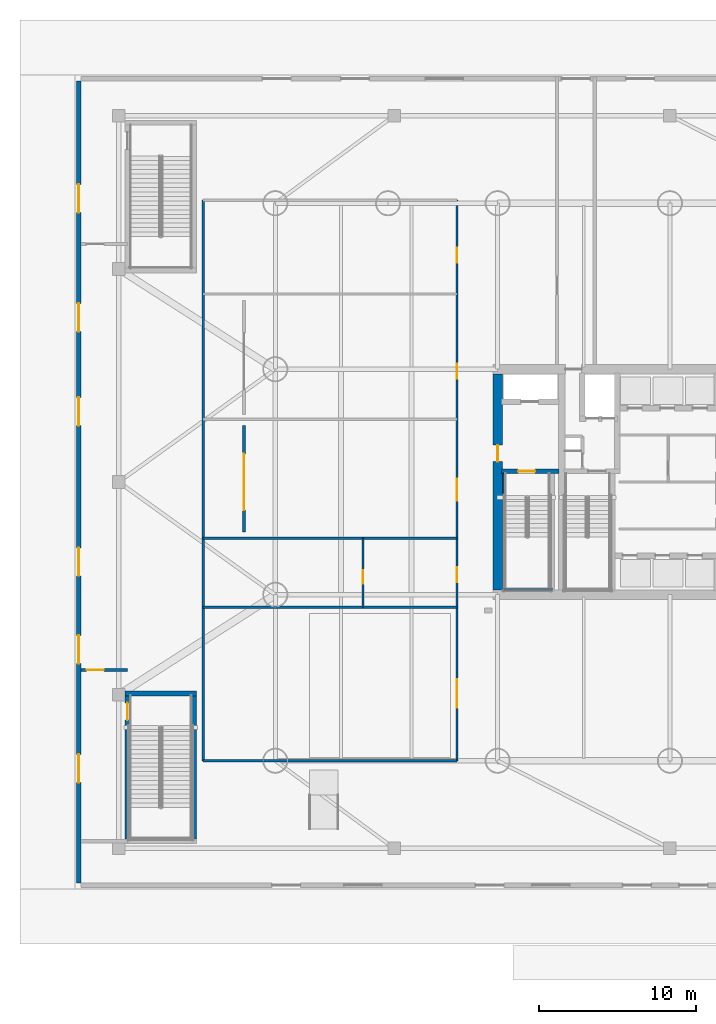
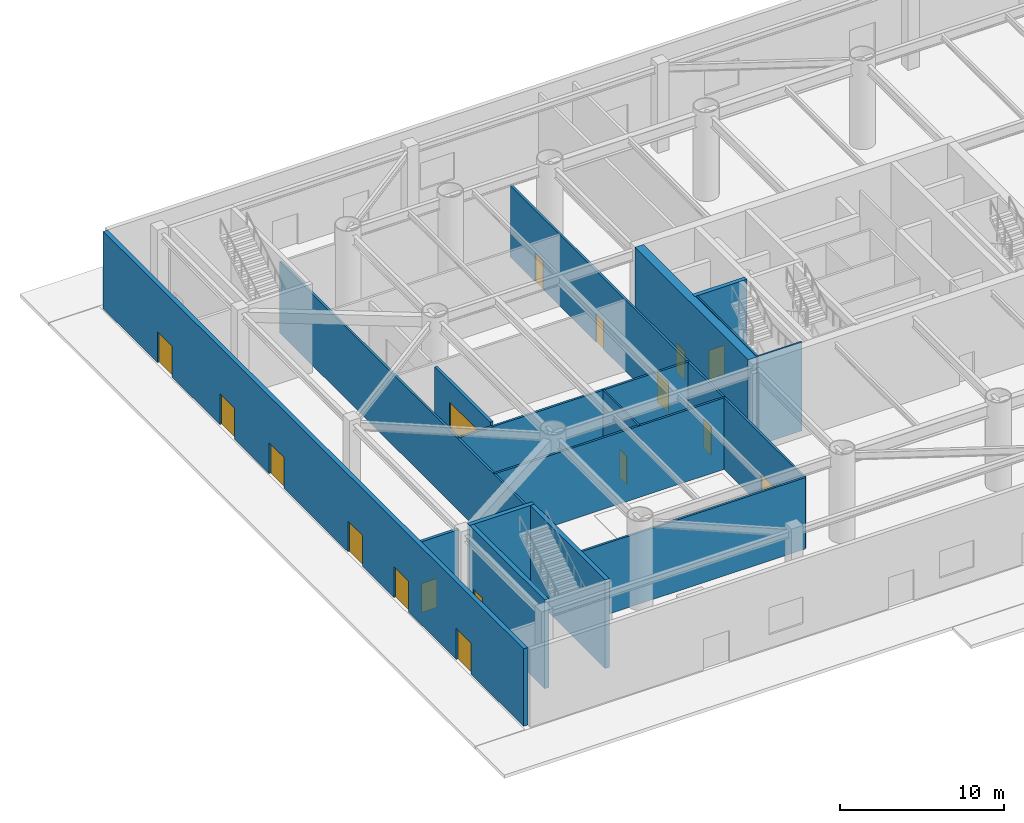
# One storey, part 3 of 15: 17 doors, 16 walls, 17 openings.
"""IFC4 building model written with IfcOpenShell, lengths in metres."""

from ifc_helpers import new_model, si_unit, direction, frame, frame_2d, origin, place, context, subcontext, project, spatial, rectangle, extrude, material, layer, layer_set, type_object, element, fill, save


model = new_model("IFC4")

# Units and contexts
model_context = context("Model", 3, precision=1e-05, world=origin(), true_north=direction((0.0, 1.0)))
body_context = subcontext(model_context, "Body", "Model", "MODEL_VIEW")
ifc_project = project(units=[si_unit("LENGTHUNIT", "METRE"), si_unit("AREAUNIT", "SQUARE_METRE"), si_unit("VOLUMEUNIT", "CUBIC_METRE"), si_unit("PLANEANGLEUNIT", "RADIAN"), si_unit("MASSUNIT", "GRAM", prefix="KILO")], contexts=[model_context])

# Site, building, storey
site_placement = place(None, origin())
site = spatial("IfcSite", under=ifc_project, at=site_placement, CompositionType="ELEMENT")
building_placement = place(site_placement, origin())
building = spatial("IfcBuilding", under=site, at=building_placement, Name="Bramvorn Convention Spire", CompositionType="ELEMENT")
storey_placement = place(building_placement, origin())
storey = spatial("IfcBuildingStorey", under=building, at=storey_placement, Name="L00", CompositionType="ELEMENT", Elevation=0.0)

# Wall, opening, door
ifc_material_1 = material(Name="Concrete C60/70", Category="concrete")
ifc_layer_1 = layer(ifc_material_1, 0.60009765625)
ifc_layer_set_1 = layer_set([ifc_layer_1], Name="Concrete C60/70 - WL-CORE-600")
wall_type_1 = type_object("IfcWallType", Name="WL-CORE-600", PredefinedType="SHEAR", material=ifc_layer_set_1)
wall_1_placement = place(storey_placement, frame((27.0, 19.10009765625, 0.0), z_axis=(0.0, 0.0, 1.0), x_axis=(0.0, 1.0, 0.0)))
wall_1 = element("IfcWall", 1, at=wall_1_placement, inside=storey, type_object=wall_type_1, Name="L00 West RC core shear wall", PredefinedType="SHEAR", context=body_context, shape_type="SweptSolid", body=[
    extrude(rectangle(XDim=13.7998046875, YDim=0.60009765625, at=frame_2d((6.89990234375, 0.0))), origin(), (0.0, 0.0, 1.0), 6.60009765625),
])
opening_1_placement = place(wall_1_placement, frame((8.199951171875, 0.0, 0.0)))
opening_1 = element("IfcOpeningElement", 2, at=opening_1_placement, cuts=wall_1, Name="Opening DL-105", PredefinedType="OPENING", context=body_context, shape_type="SweptSolid", body=[
    extrude(rectangle(XDim=1.050048828125, YDim=2.14990234375, at=frame_2d((0.52490234375, 1.074951171875))), frame((0.0, 0.31005859375, 0.0), z_axis=(0.0, -1.0, 0.0), x_axis=(1.0, 0.0, 0.0)), (0.0, 0.0, 1.0), 0.6201171875),
])
ifc_material_2 = material(Name="Smoke-Sealed Fire Lobby Timber-Core Door", Category="wood")
door_type_1 = type_object("IfcDoorType", Name="DR-LOBBY-1050", OperationType="NOTDEFINED", PredefinedType="DOOR", material=ifc_material_2)
door_1_placement = place(opening_1_placement, origin())
door_1 = element("IfcDoor", 3, at=door_1_placement, inside=storey, type_object=door_type_1, Name="L00 West Firefighting Lobby corridor door", OperationType="SINGLE_SWING_RIGHT", OverallHeight=2.14990234375, OverallWidth=1.050048828125, PredefinedType="DOOR", context=body_context, shape_type="SweptSolid", body=[
    extrude(rectangle(XDim=1.050048828125, YDim=2.14990234375, at=frame_2d((0.52490234375, 1.074951171875))), frame((0.0, 0.02490234375, 0.0), z_axis=(0.0, -1.0, 0.0), x_axis=(1.0, 0.0, 0.0)), (0.0, 0.0, 1.0), 0.050048828125),
])
fill(opening_1, door_1)

# Wall, openings, doors
ifc_material_3 = material(Name="Precast Concrete C40/50 with Bronze Terracotta Rainscreen", Category="masonry")
ifc_layer_2 = layer(ifc_material_3, 0.300048828125)
ifc_layer_set_2 = layer_set([ifc_layer_2], Name="Precast Concrete C40/50 with Bronze Terracotta Rainscreen - WL-EXT-BRONZE-300")
wall_type_2 = type_object("IfcWallType", Name="WL-EXT-BRONZE-300", PredefinedType="SOLIDWALL", material=ifc_layer_set_2)
wall_2_placement = place(storey_placement, frame((0.25, 0.39990234375, 0.0), z_axis=(0.0, 0.0, 1.0), x_axis=(0.0, 1.0, 0.0)))
wall_2 = element("IfcWall", 4, at=wall_2_placement, inside=storey, type_object=wall_type_2, Name="L00 West podium bronze facade wall", PredefinedType="SOLIDWALL", context=body_context, shape_type="SweptSolid", body=[
    extrude(rectangle(XDim=51.2001953125, YDim=0.300048828125, at=frame_2d((25.60009765625, 0.0))), origin(), (0.0, 0.0, 1.0), 5.760009765625),
])
opening_2_placement = place(wall_2_placement, frame((14.0, 0.0, 0.0)))
opening_2 = element("IfcOpeningElement", 5, at=opening_2_placement, cuts=wall_2, Name="Opening DE03", PredefinedType="OPENING", context=body_context, shape_type="SweptSolid", body=[
    extrude(rectangle(XDim=1.800048828125, YDim=2.300048828125, at=frame_2d((0.89990234375, 1.14990234375))), frame((0.0, 0.159912109375, 0.0), z_axis=(0.0, -1.0, 0.0), x_axis=(1.0, 0.0, 0.0)), (0.0, 0.0, 1.0), 0.320068359375),
])
opening_3_placement = place(wall_2_placement, frame((19.60009765625, 0.0, 0.0)))
opening_3 = element("IfcOpeningElement", 6, at=opening_3_placement, cuts=wall_2, Name="Opening DE03", PredefinedType="OPENING", context=body_context, shape_type="SweptSolid", body=[
    extrude(rectangle(XDim=1.800048828125, YDim=2.300048828125, at=frame_2d((0.89990234375, 1.14990234375))), frame((0.0, 0.159912109375, 0.0), z_axis=(0.0, -1.0, 0.0), x_axis=(1.0, 0.0, 0.0)), (0.0, 0.0, 1.0), 0.320068359375),
])
opening_4_placement = place(wall_2_placement, frame((29.199951171875, 0.0, 0.0)))
opening_4 = element("IfcOpeningElement", 7, at=opening_4_placement, cuts=wall_2, Name="Opening DE03", PredefinedType="OPENING", context=body_context, shape_type="SweptSolid", body=[
    extrude(rectangle(XDim=1.800048828125, YDim=2.300048828125, at=frame_2d((0.89990234375, 1.14990234375))), frame((0.0, 0.159912109375, 0.0), z_axis=(0.0, -1.0, 0.0), x_axis=(1.0, 0.0, 0.0)), (0.0, 0.0, 1.0), 0.320068359375),
])
opening_5_placement = place(wall_2_placement, frame((35.199951171875, 0.0, 0.0)))
opening_5 = element("IfcOpeningElement", 8, at=opening_5_placement, cuts=wall_2, Name="Opening DE03", PredefinedType="OPENING", context=body_context, shape_type="SweptSolid", body=[
    extrude(rectangle(XDim=1.800048828125, YDim=2.300048828125, at=frame_2d((0.89990234375, 1.14990234375))), frame((0.0, 0.159912109375, 0.0), z_axis=(0.0, -1.0, 0.0), x_axis=(1.0, 0.0, 0.0)), (0.0, 0.0, 1.0), 0.320068359375),
])
opening_6_placement = place(wall_2_placement, frame((6.39990234375, 0.0, 0.0)))
opening_6 = element("IfcOpeningElement", 9, at=opening_6_placement, cuts=wall_2, Name="Opening DE03", PredefinedType="OPENING", context=body_context, shape_type="SweptSolid", body=[
    extrude(rectangle(XDim=1.800048828125, YDim=2.300048828125, at=frame_2d((0.89990234375, 1.14990234375))), frame((0.0, 0.159912109375, 0.0), z_axis=(0.0, -1.0, 0.0), x_axis=(1.0, 0.0, 0.0)), (0.0, 0.0, 1.0), 0.320068359375),
])
opening_7_placement = place(wall_2_placement, frame((42.800048828125, 0.0, 0.0)))
opening_7 = element("IfcOpeningElement", 10, at=opening_7_placement, cuts=wall_2, Name="Opening DE03", PredefinedType="OPENING", context=body_context, shape_type="SweptSolid", body=[
    extrude(rectangle(XDim=1.800048828125, YDim=2.300048828125, at=frame_2d((0.89990234375, 1.14990234375))), frame((0.0, 0.159912109375, 0.0), z_axis=(0.0, -1.0, 0.0), x_axis=(1.0, 0.0, 0.0)), (0.0, 0.0, 1.0), 0.320068359375),
])
ifc_material_4 = material(Name="Anodised Bronze Aluminium & Laminated Safety Glass", Category="aluminium")
door_type_2 = type_object("IfcDoorType", Name="DR-EXT-1800X2300", OperationType="NOTDEFINED", PredefinedType="DOOR", material=ifc_material_4)
door_2_placement = place(opening_2_placement, origin())
door_2 = element("IfcDoor", 11, at=door_2_placement, inside=storey, type_object=door_type_2, Name="L00 West Concourse Exit E09", OperationType="DOUBLE_DOOR_SINGLE_SWING", OverallHeight=2.300048828125, OverallWidth=1.800048828125, PredefinedType="DOOR", context=body_context, shape_type="SweptSolid", body=[
    extrude(rectangle(XDim=1.800048828125, YDim=2.300048828125, at=frame_2d((0.89990234375, 1.14990234375))), frame((0.0, 0.02490234375, 0.0), z_axis=(0.0, -1.0, 0.0), x_axis=(1.0, 0.0, 0.0)), (0.0, 0.0, 1.0), 0.050048828125),
])
fill(opening_2, door_2)
door_3_placement = place(opening_3_placement, origin())
door_3 = element("IfcDoor", 12, at=door_3_placement, inside=storey, type_object=door_type_2, Name="L00 West Concourse Exit E10", OperationType="DOUBLE_DOOR_SINGLE_SWING", OverallHeight=2.300048828125, OverallWidth=1.800048828125, PredefinedType="DOOR", context=body_context, shape_type="SweptSolid", body=[
    extrude(rectangle(XDim=1.800048828125, YDim=2.300048828125, at=frame_2d((0.89990234375, 1.14990234375))), frame((0.0, 0.02490234375, 0.0), z_axis=(0.0, -1.0, 0.0), x_axis=(1.0, 0.0, 0.0)), (0.0, 0.0, 1.0), 0.050048828125),
])
fill(opening_3, door_3)
door_4_placement = place(opening_4_placement, origin())
door_4 = element("IfcDoor", 13, at=door_4_placement, inside=storey, type_object=door_type_2, Name="L00 West Concourse Exit E11", OperationType="DOUBLE_DOOR_SINGLE_SWING", OverallHeight=2.300048828125, OverallWidth=1.800048828125, PredefinedType="DOOR", context=body_context, shape_type="SweptSolid", body=[
    extrude(rectangle(XDim=1.800048828125, YDim=2.300048828125, at=frame_2d((0.89990234375, 1.14990234375))), frame((0.0, 0.02490234375, 0.0), z_axis=(0.0, -1.0, 0.0), x_axis=(1.0, 0.0, 0.0)), (0.0, 0.0, 1.0), 0.050048828125),
])
fill(opening_4, door_4)
door_5_placement = place(opening_5_placement, origin())
door_5 = element("IfcDoor", 14, at=door_5_placement, inside=storey, type_object=door_type_2, Name="L00 NW Concourse Exit E12", OperationType="DOUBLE_DOOR_SINGLE_SWING", OverallHeight=2.300048828125, OverallWidth=1.800048828125, PredefinedType="DOOR", context=body_context, shape_type="SweptSolid", body=[
    extrude(rectangle(XDim=1.800048828125, YDim=2.300048828125, at=frame_2d((0.89990234375, 1.14990234375))), frame((0.0, 0.02490234375, 0.0), z_axis=(0.0, -1.0, 0.0), x_axis=(1.0, 0.0, 0.0)), (0.0, 0.0, 1.0), 0.050048828125),
])
fill(opening_5, door_5)
door_6_placement = place(opening_6_placement, origin())
door_6 = element("IfcDoor", 15, at=door_6_placement, inside=storey, type_object=door_type_2, Name="L00 Stair ST4 Protected Street Exit E19", OperationType="DOUBLE_DOOR_SINGLE_SWING", OverallHeight=2.300048828125, OverallWidth=1.800048828125, PredefinedType="DOOR", context=body_context, shape_type="SweptSolid", body=[
    extrude(rectangle(XDim=1.800048828125, YDim=2.300048828125, at=frame_2d((0.89990234375, 1.14990234375))), frame((0.0, 0.02490234375, 0.0), z_axis=(0.0, -1.0, 0.0), x_axis=(1.0, 0.0, 0.0)), (0.0, 0.0, 1.0), 0.050048828125),
])
fill(opening_6, door_6)
door_7_placement = place(opening_7_placement, origin())
door_7 = element("IfcDoor", 16, at=door_7_placement, inside=storey, type_object=door_type_2, Name="L00 Stair ST6 Protected Street Exit E21", OperationType="DOUBLE_DOOR_SINGLE_SWING", OverallHeight=2.300048828125, OverallWidth=1.800048828125, PredefinedType="DOOR", context=body_context, shape_type="SweptSolid", body=[
    extrude(rectangle(XDim=1.800048828125, YDim=2.300048828125, at=frame_2d((0.89990234375, 1.14990234375))), frame((0.0, 0.02490234375, 0.0), z_axis=(0.0, -1.0, 0.0), x_axis=(1.0, 0.0, 0.0)), (0.0, 0.0, 1.0), 0.050048828125),
])
fill(opening_7, door_7)

# Wall, opening, door
ifc_material_5 = material(Name="Lightweight En-Suite & Wet-Wall Partition", Category="gypsum")
ifc_layer_3 = layer(ifc_material_5, 0.110107421875)
ifc_layer_set_3 = layer_set([ifc_layer_3], Name="Lightweight En-Suite & Wet-Wall Partition - WL-PART-110")
wall_type_3 = type_object("IfcWallType", Name="WL-PART-110", PredefinedType="PARTITIONING", material=ifc_layer_set_3)
wall_3_placement = place(storey_placement, frame((18.39990234375, 18.0, 0.0), z_axis=(0.0, 0.0, 1.0), x_axis=(0.0, 1.0, 0.0)))
wall_3 = element("IfcWall", 17, at=wall_3_placement, inside=storey, type_object=wall_type_3, Name="L00 Coat & WC divider", PredefinedType="PARTITIONING", context=body_context, shape_type="SweptSolid", body=[
    extrude(rectangle(XDim=4.39990234375, YDim=0.110107421875, at=frame_2d((2.199951171875, 0.0))), origin(), (0.0, 0.0, 1.0), 5.31005859375),
])
opening_8_placement = place(wall_3_placement, frame((1.5, 0.0, 0.0)))
opening_8 = element("IfcOpeningElement", 18, at=opening_8_placement, cuts=wall_3, Name="Opening DI-085", PredefinedType="OPENING", context=body_context, shape_type="SweptSolid", body=[
    extrude(rectangle(XDim=0.85009765625, YDim=2.10009765625, at=frame_2d((0.425048828125, 1.050048828125))), frame((0.0, 0.06494140625, 0.0), z_axis=(0.0, -1.0, 0.0), x_axis=(1.0, 0.0, 0.0)), (0.0, 0.0, 1.0), 0.130126953125),
])
ifc_material_6 = material(Name="En-Suite & Restroom Privacy Door", Category="wood")
door_type_3 = type_object("IfcDoorType", Name="DR-INT-850", OperationType="NOTDEFINED", PredefinedType="DOOR", material=ifc_material_6)
door_8_placement = place(opening_8_placement, origin())
door_8 = element("IfcDoor", 19, at=door_8_placement, inside=storey, type_object=door_type_3, Name="L00 Delegate Coat Room door", OperationType="SINGLE_SWING_LEFT", OverallHeight=2.10009765625, OverallWidth=0.85009765625, PredefinedType="DOOR", context=body_context, shape_type="SweptSolid", body=[
    extrude(rectangle(XDim=0.85009765625, YDim=2.10009765625, at=frame_2d((0.425048828125, 1.050048828125))), frame((0.0, 0.02490234375, 0.0), z_axis=(0.0, -1.0, 0.0), x_axis=(1.0, 0.0, 0.0)), (0.0, 0.0, 1.0), 0.050048828125),
])
fill(opening_8, door_8)

# Wall, openings, doors
ifc_material_7 = material(Name="Acoustic Metal-Stud Tenant/Corridor Partition", Category="gypsum")
ifc_layer_4 = layer(ifc_material_7, 0.14990234375)
ifc_layer_set_4 = layer_set([ifc_layer_4], Name="Acoustic Metal-Stud Tenant/Corridor Partition - WL-PART-150")
wall_type_4 = type_object("IfcWallType", Name="WL-PART-150", PredefinedType="PARTITIONING", material=ifc_layer_set_4)
wall_4_placement = place(storey_placement, frame((24.39990234375, 8.199951171875, 0.0), z_axis=(0.0, 0.0, 1.0), x_axis=(0.0, 1.0, 0.0)))
wall_4 = element("IfcWall", 20, at=wall_4_placement, inside=storey, type_object=wall_type_4, Name="L00 West concourse wall", PredefinedType="PARTITIONING", context=body_context, shape_type="SweptSolid", body=[
    extrude(rectangle(XDim=35.800048828125, YDim=0.14990234375, at=frame_2d((17.89990234375, 0.0))), origin(), (0.0, 0.0, 1.0), 5.31005859375),
])
opening_9_placement = place(wall_4_placement, frame((3.39990234375, 0.0, 0.0)))
opening_9 = element("IfcOpeningElement", 21, at=opening_9_placement, cuts=wall_4, Name="Opening DH-180", PredefinedType="OPENING", context=body_context, shape_type="SweptSolid", body=[
    extrude(rectangle(XDim=1.800048828125, YDim=2.35009765625, at=frame_2d((0.89990234375, 1.175048828125))), frame((0.0, 0.0849609375, 0.0), z_axis=(0.0, -1.0, 0.0), x_axis=(1.0, 0.0, 0.0)), (0.0, 0.0, 1.0), 0.169921875),
])
opening_10_placement = place(wall_4_placement, frame((11.39990234375, 0.0, 0.0)))
opening_10 = element("IfcOpeningElement", 22, at=opening_10_placement, cuts=wall_4, Name="Opening DH-095", PredefinedType="OPENING", context=body_context, shape_type="SweptSolid", body=[
    extrude(rectangle(XDim=0.949951171875, YDim=2.14990234375, at=frame_2d((0.47509765625, 1.074951171875))), frame((0.0, 0.0849609375, 0.0), z_axis=(0.0, -1.0, 0.0), x_axis=(1.0, 0.0, 0.0)), (0.0, 0.0, 1.0), 0.169921875),
])
opening_11_placement = place(wall_4_placement, frame((16.60009765625, 0.0, 0.0)))
opening_11 = element("IfcOpeningElement", 23, at=opening_11_placement, cuts=wall_4, Name="Opening DP-140", PredefinedType="OPENING", context=body_context, shape_type="SweptSolid", body=[
    extrude(rectangle(XDim=1.39990234375, YDim=2.25, at=frame_2d((0.699951171875, 1.125))), frame((0.0, 0.0849609375, 0.0), z_axis=(0.0, -1.0, 0.0), x_axis=(1.0, 0.0, 0.0)), (0.0, 0.0, 1.0), 0.169921875),
])
opening_12_placement = place(wall_4_placement, frame((24.39990234375, 0.0, 0.0)))
opening_12 = element("IfcOpeningElement", 24, at=opening_12_placement, cuts=wall_4, Name="Opening DH-095", PredefinedType="OPENING", context=body_context, shape_type="SweptSolid", body=[
    extrude(rectangle(XDim=0.949951171875, YDim=2.14990234375, at=frame_2d((0.47509765625, 1.074951171875))), frame((0.0, 0.0849609375, 0.0), z_axis=(0.0, -1.0, 0.0), x_axis=(1.0, 0.0, 0.0)), (0.0, 0.0, 1.0), 0.169921875),
])
opening_13_placement = place(wall_4_placement, frame((31.800048828125, 0.0, 0.0)))
opening_13 = element("IfcOpeningElement", 25, at=opening_13_placement, cuts=wall_4, Name="Opening DH-095", PredefinedType="OPENING", context=body_context, shape_type="SweptSolid", body=[
    extrude(rectangle(XDim=0.949951171875, YDim=2.14990234375, at=frame_2d((0.47509765625, 1.074951171875))), frame((0.0, 0.0849609375, 0.0), z_axis=(0.0, -1.0, 0.0), x_axis=(1.0, 0.0, 0.0)), (0.0, 0.0, 1.0), 0.169921875),
])
ifc_material_8 = material(Name="Double-Leaf Acoustic Assembly Hall Door", Category="wood")
door_type_4 = type_object("IfcDoorType", Name="DR-HALL-1800", OperationType="NOTDEFINED", PredefinedType="DOOR", material=ifc_material_8)
door_9_placement = place(opening_9_placement, origin())
door_9 = element("IfcDoor", 26, at=door_9_placement, inside=storey, type_object=door_type_4, Name="L00 Street-Front Cafe & Espresso Bar door", OperationType="DOUBLE_DOOR_SINGLE_SWING", OverallHeight=2.35009765625, OverallWidth=1.800048828125, PredefinedType="DOOR", context=body_context, shape_type="SweptSolid", body=[
    extrude(rectangle(XDim=1.800048828125, YDim=2.35009765625, at=frame_2d((0.89990234375, 1.175048828125))), frame((0.0, 0.02490234375, 0.0), z_axis=(0.0, -1.0, 0.0), x_axis=(1.0, 0.0, 0.0)), (0.0, 0.0, 1.0), 0.050048828125),
])
fill(opening_9, door_9)
ifc_material_9 = material(Name="Solid-Core Acoustic Guestroom Entry Door", Category="wood")
door_type_5 = type_object("IfcDoorType", Name="DR-HOTEL-950", OperationType="NOTDEFINED", PredefinedType="DOOR", material=ifc_material_9)
door_10_placement = place(opening_10_placement, origin())
door_10 = element("IfcDoor", 27, at=door_10_placement, inside=storey, type_object=door_type_5, Name="L00 Accessible Public Restroom door", OperationType="SINGLE_SWING_LEFT", OverallHeight=2.14990234375, OverallWidth=0.949951171875, PredefinedType="DOOR", context=body_context, shape_type="SweptSolid", body=[
    extrude(rectangle(XDim=0.949951171875, YDim=2.14990234375, at=frame_2d((0.47509765625, 1.074951171875))), frame((0.0, 0.02490234375, 0.0), z_axis=(0.0, -1.0, 0.0), x_axis=(1.0, 0.0, 0.0)), (0.0, 0.0, 1.0), 0.050048828125),
])
fill(opening_10, door_10)
door_11_placement = place(opening_12_placement, origin())
door_11 = element("IfcDoor", 28, at=door_11_placement, inside=storey, type_object=door_type_5, Name="L00 Commuter Bicycle & Shower Hub door", OperationType="SINGLE_SWING_RIGHT", OverallHeight=2.14990234375, OverallWidth=0.949951171875, PredefinedType="DOOR", context=body_context, shape_type="SweptSolid", body=[
    extrude(rectangle(XDim=0.949951171875, YDim=2.14990234375, at=frame_2d((0.47509765625, 1.074951171875))), frame((0.0, 0.02490234375, 0.0), z_axis=(0.0, -1.0, 0.0), x_axis=(1.0, 0.0, 0.0)), (0.0, 0.0, 1.0), 0.050048828125),
])
fill(opening_12, door_11)
door_12_placement = place(opening_13_placement, origin())
door_12 = element("IfcDoor", 29, at=door_12_placement, inside=storey, type_object=door_type_5, Name="L00 Concourse Public Restrooms door", OperationType="SINGLE_SWING_LEFT", OverallHeight=2.14990234375, OverallWidth=0.949951171875, PredefinedType="DOOR", context=body_context, shape_type="SweptSolid", body=[
    extrude(rectangle(XDim=0.949951171875, YDim=2.14990234375, at=frame_2d((0.47509765625, 1.074951171875))), frame((0.0, 0.02490234375, 0.0), z_axis=(0.0, -1.0, 0.0), x_axis=(1.0, 0.0, 0.0)), (0.0, 0.0, 1.0), 0.050048828125),
])
fill(opening_13, door_12)
ifc_material_10 = material(Name="Heavy-Duty Acoustic Louvre Plant Room Door", Category="steel")
door_type_6 = type_object("IfcDoorType", Name="DR-PLANT-1400", OperationType="NOTDEFINED", PredefinedType="DOOR", material=ifc_material_10)
door_13_placement = place(opening_11_placement, origin())
door_13 = element("IfcDoor", 30, at=door_13_placement, inside=storey, type_object=door_type_6, Name="L00 Truck Marshalling & Freight Vestibule door", OperationType="DOUBLE_DOOR_SINGLE_SWING", OverallHeight=2.25, OverallWidth=1.39990234375, PredefinedType="DOOR", context=body_context, shape_type="SweptSolid", body=[
    extrude(rectangle(XDim=1.39990234375, YDim=2.25, at=frame_2d((0.699951171875, 1.125))), frame((0.0, 0.02490234375, 0.0), z_axis=(0.0, -1.0, 0.0), x_axis=(1.0, 0.0, 0.0)), (0.0, 0.0, 1.0), 0.050048828125),
])
fill(opening_11, door_13)

# Walls
wall_5_placement = place(storey_placement, frame((8.199951171875, 8.199951171875, 0.0), z_axis=(0.0, 0.0, 1.0), x_axis=(0.0, 1.0, 0.0)))
element("IfcWall", 31, at=wall_5_placement, inside=storey, type_object=wall_type_4, Name="L00 West room outer wall", PredefinedType="PARTITIONING", context=body_context, shape_type="SweptSolid", body=[
    extrude(rectangle(XDim=35.800048828125, YDim=0.14990234375, at=frame_2d((17.89990234375, 0.0))), origin(), (0.0, 0.0, 1.0), 5.31005859375),
])
for number, where, z_axis, x_axis, name in (
    (32, (8.199951171875, 8.199951171875, 0.0), (0.0, 0.0, 1.0), (1.0, 0.0, 0.0), "L00 West room south wall"),
    (33, (8.199951171875, 18.0, 0.0), (0.0, 0.0, 1.0), (1.0, 0.0, 0.0), "L00 West room divider Y=18.0"),
    (34, (8.199951171875, 22.39990234375, 0.0), (0.0, 0.0, 1.0), (1.0, 0.0, 0.0), "L00 West room divider Y=22.4"),
):
    element("IfcWall", number, at=place(storey_placement, frame(where, z_axis=z_axis, x_axis=x_axis)), inside=storey, type_object=wall_type_4, Name=name, PredefinedType="PARTITIONING", context=body_context, shape_type="SweptSolid", body=[
        extrude(rectangle(XDim=16.199951171875, YDim=0.14990234375, at=frame_2d((8.10009765625, 0.0))), origin(), (0.0, 0.0, 1.0), 5.31005859375),
    ])

# Wall, opening, door
ifc_material_11 = material(Name="Gypsum Shaftwall & Rockwool Core Partition", Category="gypsum")
ifc_layer_5 = layer(ifc_material_11, 0.199951171875)
ifc_layer_set_5 = layer_set([ifc_layer_5], Name="Gypsum Shaftwall & Rockwool Core Partition - WL-PART-200-FR")
wall_type_5 = type_object("IfcWallType", Name="WL-PART-200-FR", PredefinedType="PARTITIONING", material=ifc_layer_set_5)
wall_6_placement = place(storey_placement, frame((0.39990234375, 14.0, 0.0), z_axis=(0.0, 0.0, 1.0), x_axis=(1.0, 0.0, 0.0)))
wall_6 = element("IfcWall", 35, at=wall_6_placement, inside=storey, type_object=wall_type_5, Name="L00 ST4 protected exit passage north wall", PredefinedType="PARTITIONING", context=body_context, shape_type="SweptSolid", body=[
    extrude(rectangle(XDim=2.960205078125, YDim=0.199951171875, at=frame_2d((1.47998046875, 0.0))), origin(), (0.0, 0.0, 1.0), 5.31005859375),
])
opening_14_placement = place(wall_6_placement, frame((0.35009765625, 0.0, 0.0)))
opening_14 = element("IfcOpeningElement", 36, at=opening_14_placement, cuts=wall_6, Name="Opening DS-110", PredefinedType="OPENING", context=body_context, shape_type="SweptSolid", body=[
    extrude(rectangle(XDim=1.10009765625, YDim=2.14990234375, at=frame_2d((0.550048828125, 1.074951171875))), frame((0.0, 0.10986328125, 0.0), z_axis=(0.0, -1.0, 0.0), x_axis=(1.0, 0.0, 0.0)), (0.0, 0.0, 1.0), 0.219970703125),
])
ifc_material_12 = material(Name="Fire-Rated Hollow Steel Stairwell Door", Category="steel")
door_type_7 = type_object("IfcDoorType", Name="DR-STAIR-1100", OperationType="NOTDEFINED", PredefinedType="DOOR", material=ifc_material_12)
door_14_placement = place(opening_14_placement, origin())
door_14 = element("IfcDoor", 37, at=door_14_placement, inside=storey, type_object=door_type_7, Name="L00 ST4 Protected Passage concourse fire door", OperationType="SINGLE_SWING_LEFT", OverallHeight=2.14990234375, OverallWidth=1.10009765625, PredefinedType="DOOR", context=body_context, shape_type="SweptSolid", body=[
    extrude(rectangle(XDim=1.10009765625, YDim=2.14990234375, at=frame_2d((0.550048828125, 1.074951171875))), frame((0.0, 0.02490234375, 0.0), z_axis=(0.0, -1.0, 0.0), x_axis=(1.0, 0.0, 0.0)), (0.0, 0.0, 1.0), 0.050048828125),
])
fill(opening_14, door_14)

wall_7_placement = place(storey_placement, frame((10.800048828125, 22.800048828125, 0.0), z_axis=(0.0, 0.0, 1.0), x_axis=(0.0, 1.0, 0.0)))
wall_7 = element("IfcWall", 38, at=wall_7_placement, inside=storey, type_object=wall_type_5, Name="L00 Internal loading dock shutter wall", PredefinedType="PARTITIONING", context=body_context, shape_type="SweptSolid", body=[
    extrude(rectangle(XDim=6.800048828125, YDim=0.199951171875, at=frame_2d((3.39990234375, 0.0))), origin(), (0.0, 0.0, 1.0), 5.31005859375),
])
opening_15_placement = place(wall_7_placement, frame((1.39990234375, 0.0, 0.0)))
opening_15 = element("IfcOpeningElement", 39, at=opening_15_placement, cuts=wall_7, Name="Opening VD01", PredefinedType="OPENING", context=body_context, shape_type="SweptSolid", body=[
    extrude(rectangle(XDim=3.60009765625, YDim=3.800048828125, at=frame_2d((1.800048828125, 1.89990234375))), frame((0.0, 0.10986328125, 0.0), z_axis=(0.0, -1.0, 0.0), x_axis=(1.0, 0.0, 0.0)), (0.0, 0.0, 1.0), 0.219970703125),
])
door_type_8 = type_object("IfcDoorType", Name="DR-DOCK-3600X3800", OperationType="NOTDEFINED", PredefinedType="TRAPDOOR", material=ifc_material_4)
door_15_placement = place(opening_15_placement, origin())
door_15 = element("IfcDoor", 40, at=door_15_placement, inside=storey, type_object=door_type_8, Name="L00 Marshalling Dock High-Speed Overhead Door 1", OperationType="ROLLINGUP", OverallHeight=3.800048828125, OverallWidth=3.60009765625, PredefinedType="TRAPDOOR", context=body_context, shape_type="SweptSolid", body=[
    extrude(rectangle(XDim=3.60009765625, YDim=3.800048828125, at=frame_2d((1.800048828125, 1.89990234375))), frame((0.0, 0.02490234375, 0.0), z_axis=(0.0, -1.0, 0.0), x_axis=(1.0, 0.0, 0.0)), (0.0, 0.0, 1.0), 0.050048828125),
])
fill(opening_15, door_15)

ifc_material_13 = material(Name="Concrete C50/60", Category="concrete")
ifc_layer_6 = layer(ifc_material_13, 0.300048828125)
ifc_layer_set_6 = layer_set([ifc_layer_6], Name="Concrete C50/60 - WL-POD-STAIR-300")
wall_type_6 = type_object("IfcWallType", Name="WL-POD-STAIR-300", PredefinedType="SHEAR", material=ifc_layer_set_6)
wall_8_placement = place(storey_placement, frame((27.25, 26.68994140625, 0.0), z_axis=(0.0, 0.0, 1.0), x_axis=(1.0, 0.0, 0.0)))
wall_8 = element("IfcWall", 41, at=wall_8_placement, inside=storey, type_object=wall_type_6, Name="L00 ST1 north fire wall", PredefinedType="SHEAR", context=body_context, shape_type="SweptSolid", body=[
    extrude(rectangle(XDim=3.669921875, YDim=0.300048828125, at=frame_2d((1.8349609375, 0.0))), origin(), (0.0, 0.0, 1.0), 6.60009765625),
])
opening_16_placement = place(wall_8_placement, frame((1.050048828125, 0.0, 0.0)))
opening_16 = element("IfcOpeningElement", 42, at=opening_16_placement, cuts=wall_8, Name="Opening DS-110", PredefinedType="OPENING", context=body_context, shape_type="SweptSolid", body=[
    extrude(rectangle(XDim=1.10009765625, YDim=2.14990234375, at=frame_2d((0.550048828125, 1.074951171875))), frame((0.0, 0.159912109375, 0.0), z_axis=(0.0, -1.0, 0.0), x_axis=(1.0, 0.0, 0.0)), (0.0, 0.0, 1.0), 0.320068359375),
])
door_16_placement = place(opening_16_placement, origin())
door_16 = element("IfcDoor", 43, at=door_16_placement, inside=storey, type_object=door_type_7, Name="L00 Stair ST1 fire door", OperationType="SINGLE_SWING_LEFT", OverallHeight=2.14990234375, OverallWidth=1.10009765625, PredefinedType="DOOR", context=body_context, shape_type="SweptSolid", body=[
    extrude(rectangle(XDim=1.10009765625, YDim=2.14990234375, at=frame_2d((0.550048828125, 1.074951171875))), frame((0.0, 0.02490234375, 0.0), z_axis=(0.0, -1.0, 0.0), x_axis=(1.0, 0.0, 0.0)), (0.0, 0.0, 1.0), 0.050048828125),
])
fill(opening_16, door_16)

# Wall
wall_9_placement = place(storey_placement, frame((3.2099609375, 12.489990234375, 0.0), z_axis=(0.0, 0.0, 1.0), x_axis=(1.0, 0.0, 0.0)))
element("IfcWall", 44, at=wall_9_placement, inside=storey, type_object=wall_type_6, Name="L00 ST4 north shaft wall", PredefinedType="SHEAR", context=body_context, shape_type="SweptSolid", body=[
    extrude(rectangle(XDim=4.56005859375, YDim=0.300048828125, at=frame_2d((2.280029296875, 0.0))), origin(), (0.0, 0.0, 1.0), 6.60009765625),
])

# Wall, opening, door
wall_10_placement = place(storey_placement, frame((3.360107421875, 3.2099609375, 0.0), z_axis=(0.0, 0.0, 1.0), x_axis=(0.0, 1.0, 0.0)))
wall_10 = element("IfcWall", 45, at=wall_10_placement, inside=storey, type_object=wall_type_6, Name="L00 ST4 west shaft wall", PredefinedType="SHEAR", context=body_context, shape_type="SweptSolid", body=[
    extrude(rectangle(XDim=9.130126953125, YDim=0.300048828125, at=frame_2d((4.56494140625, 0.0))), origin(), (0.0, 0.0, 1.0), 6.60009765625),
])
opening_17_placement = place(wall_10_placement, frame((7.580078125, 0.0, 0.0)))
opening_17 = element("IfcOpeningElement", 46, at=opening_17_placement, cuts=wall_10, Name="Opening DS-110", PredefinedType="OPENING", context=body_context, shape_type="SweptSolid", body=[
    extrude(rectangle(XDim=1.10009765625, YDim=2.14990234375, at=frame_2d((0.550048828125, 1.074951171875))), frame((0.0, 0.159912109375, 0.0), z_axis=(0.0, -1.0, 0.0), x_axis=(1.0, 0.0, 0.0)), (0.0, 0.0, 1.0), 0.320068359375),
])
door_17_placement = place(opening_17_placement, origin())
door_17 = element("IfcDoor", 47, at=door_17_placement, inside=storey, type_object=door_type_7, Name="L00 ST4 exit stairwell door", OperationType="SINGLE_SWING_LEFT", OverallHeight=2.14990234375, OverallWidth=1.10009765625, PredefinedType="DOOR", context=body_context, shape_type="SweptSolid", body=[
    extrude(rectangle(XDim=1.10009765625, YDim=2.14990234375, at=frame_2d((0.550048828125, 1.074951171875))), frame((0.0, 0.02490234375, 0.0), z_axis=(0.0, -1.0, 0.0), x_axis=(1.0, 0.0, 0.0)), (0.0, 0.0, 1.0), 0.050048828125),
])
fill(opening_17, door_17)

# Walls
wall_11_placement = place(storey_placement, frame((7.6201171875, 12.340087890625, 0.0), z_axis=(0.0, 0.0, 1.0), x_axis=(0.0, -1.0, 0.0)))
element("IfcWall", 48, at=wall_11_placement, inside=storey, type_object=wall_type_6, Name="L00 ST4 east shaft wall", PredefinedType="SHEAR", context=body_context, shape_type="SweptSolid", body=[
    extrude(rectangle(XDim=9.130126953125, YDim=0.300048828125, at=frame_2d((4.56494140625, 0.0))), origin(), (0.0, 0.0, 1.0), 6.60009765625),
])
ifc_layer_7 = layer(ifc_material_13, 0.1201171875)
ifc_layer_set_7 = layer_set([ifc_layer_7], Name="Concrete C50/60 - WL-STAIR-RC-120")
wall_type_7 = type_object("IfcWallType", Name="WL-STAIR-RC-120", PredefinedType="SHEAR", material=ifc_layer_set_7)
wall_12_placement = place(storey_placement, frame((27.39501953125, 19.10009765625, 0.0), z_axis=(0.0, 0.0, 1.0), x_axis=(0.0, 1.0, 0.0)))
element("IfcWall", 49, at=wall_12_placement, inside=storey, type_object=wall_type_7, Name="L00 ST1 west bearing shear wall", PredefinedType="SHEAR", context=body_context, shape_type="SweptSolid", body=[
    extrude(rectangle(XDim=7.449951171875, YDim=0.1201171875, at=frame_2d((3.72509765625, 0.0))), origin(), (0.0, 0.0, 1.0), 6.60009765625),
])
wall_13_placement = place(storey_placement, frame((27.39501953125, 19.159912109375, 0.0), z_axis=(0.0, 0.0, 1.0), x_axis=(1.0, 0.0, 0.0)))
element("IfcWall", 50, at=wall_13_placement, inside=storey, type_object=wall_type_7, Name="L00 ST1 south bearing shear wall", PredefinedType="SHEAR", context=body_context, shape_type="SweptSolid", body=[
    extrude(rectangle(XDim=3.094970703125, YDim=0.1201171875, at=frame_2d((1.54736328125, 0.0))), origin(), (0.0, 0.0, 1.0), 6.60009765625),
])

save(model, "model.ifc")
